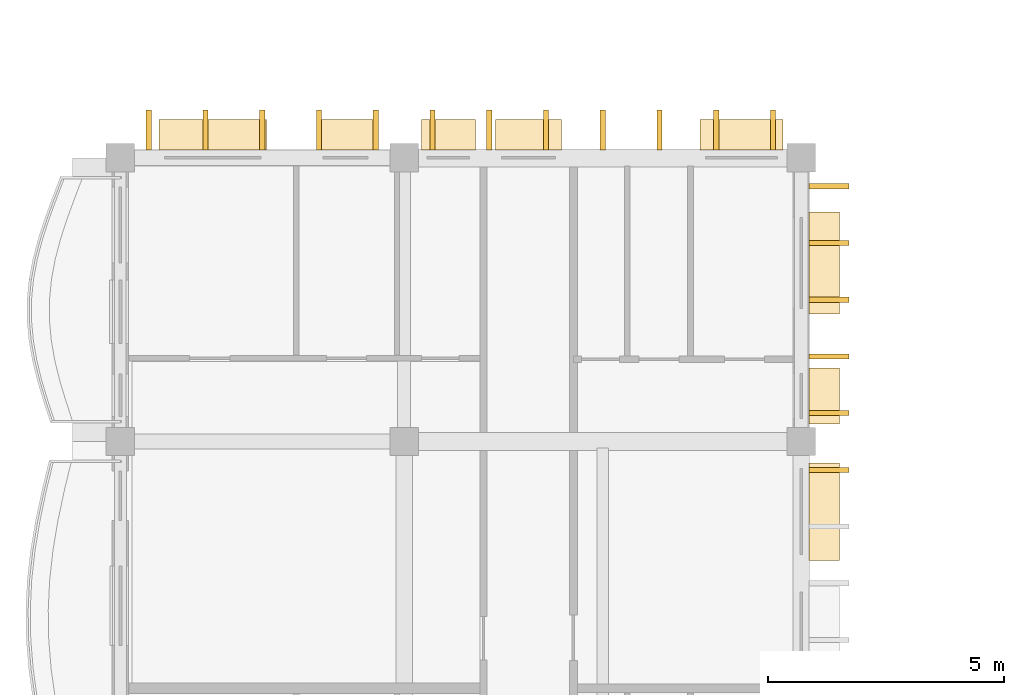
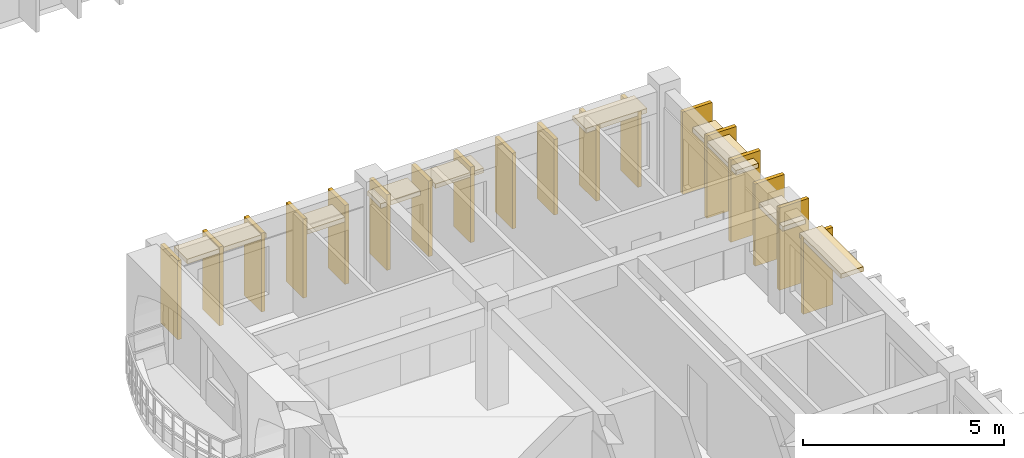
# One storey, part 75 of 101: 26 coverings.
"""IFC4 building model written with IfcOpenShell, lengths in metres."""

from ifc_helpers import new_model, si_unit, direction, frame, origin, origin_2d, place, context, subcontext, project, spatial, rectangle, extrude, material, layer, layer_set, type_object, element, save


model = new_model("IFC4")

# Units and contexts
model_context = context("Model", 3, precision=1e-05, world=origin(), true_north=direction((0.0, 1.0)))
body_context = subcontext(model_context, "Body", "Model", "MODEL_VIEW")
ifc_project = project(units=[si_unit("LENGTHUNIT", "METRE"), si_unit("AREAUNIT", "SQUARE_METRE"), si_unit("VOLUMEUNIT", "CUBIC_METRE"), si_unit("PLANEANGLEUNIT", "RADIAN"), si_unit("MASSUNIT", "GRAM", prefix="KILO"), si_unit("THERMODYNAMICTEMPERATUREUNIT", "KELVIN")], contexts=[model_context])

# Site, building, storey
site_placement = place(None, origin())
site = spatial("IfcSite", under=ifc_project, at=site_placement, CompositionType="ELEMENT")
building_placement = place(site_placement, origin())
building = spatial("IfcBuilding", under=site, at=building_placement, Name="Thalorik Housing Commons", CompositionType="ELEMENT")
storey_placement = place(building_placement, frame((0.0, 0.0, 8.10009765625)))
storey = spatial("IfcBuildingStorey", under=building, at=storey_placement, Name="L02", CompositionType="ELEMENT", Elevation=8.10009765625)

# Coverings
ifc_material = material(Name="Precast concrete C40/50", Category="concrete")
ifc_layer_1 = layer(ifc_material, 0.85009765625, Name="Precast concrete C40/50", Category="concrete")
ifc_layer_set_1 = layer_set([ifc_layer_1], Name="Precast concrete C40/50")
covering_type_1 = type_object("IfcCoveringType", Name="ARC-CLD-FIN-850", PredefinedType="CLADDING", material=ifc_layer_set_1)
covering_1_placement = place(storey_placement, frame((23.385009765625, 51.0, 0.0400390625), z_axis=(0.0, 0.0, 1.0), x_axis=(0.0, 1.0, 0.0)))
element("IfcCovering", 1, at=covering_1_placement, inside=storey, type_object=covering_type_1, Name="L02 Courtyard Precast Vertical Brise-Soleil Fin 3561", PredefinedType="CLADDING", context=body_context, shape_type="SweptSolid", body=[
    extrude(rectangle(XDim=0.110107421875, YDim=0.85009765625, at=origin_2d()), origin(), (0.0, 0.0, 1.0), 2.344970703125),
])
for number, where, z_axis, x_axis, name in (
    (2, (23.385009765625, 52.199951171875, 0.039794921875), (0.0, 0.0, 1.0), (0.0, 1.0, 0.0), "L02 Courtyard Precast Vertical Brise-Soleil Fin 3565"),
    (3, (23.385009765625, 53.39990234375, 0.039794921875), (0.0, 0.0, 1.0), (0.0, 1.0, 0.0), "L02 Courtyard Precast Vertical Brise-Soleil Fin 3566"),
    (4, (23.385009765625, 54.60009765625, 0.039794921875), (0.0, 0.0, 1.0), (0.0, 1.0, 0.0), "L02 Courtyard Precast Vertical Brise-Soleil Fin 3567"),
    (5, (23.385009765625, 55.800048828125, 0.039794921875), (0.0, 0.0, 1.0), (0.0, 1.0, 0.0), "L02 Courtyard Precast Vertical Brise-Soleil Fin 3568"),
    (6, (23.385009765625, 57.0, 0.039794921875), (0.0, 0.0, 1.0), (0.0, 1.0, 0.0), "L02 Courtyard Precast Vertical Brise-Soleil Fin 3569"),
):
    element("IfcCovering", number, at=place(storey_placement, frame(where, z_axis=z_axis, x_axis=x_axis)), inside=storey, type_object=covering_type_1, Name=name, PredefinedType="CLADDING", context=body_context, shape_type="SweptSolid", body=[
        extrude(rectangle(XDim=0.110107421875, YDim=0.85009765625, at=origin_2d()), origin(), (0.0, 0.0, 1.0), 2.4951171875),
    ])
for number, where, z_axis, x_axis, name in (
    (7, (22.199951171875, 58.18505859375, 0.0400390625), (0.0, 0.0, 1.0), (-1.0, 0.0, 0.0), "L02 Courtyard Precast Vertical Brise-Soleil Fin 3572"),
    (8, (21.0, 58.18505859375, 0.0400390625), (0.0, 0.0, 1.0), (-1.0, 0.0, 0.0), "L02 Courtyard Precast Vertical Brise-Soleil Fin 3573"),
    (9, (19.800048828125, 58.18505859375, 0.0400390625), (0.0, 0.0, 1.0), (-1.0, 0.0, 0.0), "L02 Courtyard Precast Vertical Brise-Soleil Fin 3574"),
    (10, (18.60009765625, 58.18505859375, 0.0400390625), (0.0, 0.0, 1.0), (-1.0, 0.0, 0.0), "L02 Courtyard Precast Vertical Brise-Soleil Fin 3575"),
    (11, (17.39990234375, 58.18505859375, 0.0400390625), (0.0, 0.0, 1.0), (-1.0, 0.0, 0.0), "L02 Courtyard Precast Vertical Brise-Soleil Fin 3576"),
    (12, (16.199951171875, 58.18505859375, 0.0400390625), (0.0, 0.0, 1.0), (-1.0, 0.0, 0.0), "L02 Courtyard Precast Vertical Brise-Soleil Fin 3577"),
    (13, (15.0, 58.18505859375, 0.0400390625), (0.0, 0.0, 1.0), (-1.0, 0.0, 0.0), "L02 Courtyard Precast Vertical Brise-Soleil Fin 3578"),
):
    element("IfcCovering", number, at=place(storey_placement, frame(where, z_axis=z_axis, x_axis=x_axis)), inside=storey, type_object=covering_type_1, Name=name, PredefinedType="CLADDING", context=body_context, shape_type="SweptSolid", body=[
        extrude(rectangle(XDim=0.110107421875, YDim=0.85009765625, at=origin_2d()), origin(), (0.0, 0.0, 1.0), 2.294921875),
    ])
for number, where, z_axis, x_axis, name in (
    (14, (13.800048828125, 58.18505859375, 0.039794921875), (0.0, 0.0, 1.0), (-1.0, 0.0, 0.0), "L02 Courtyard Precast Vertical Brise-Soleil Fin 3582"),
    (15, (12.60009765625, 58.18505859375, 0.039794921875), (0.0, 0.0, 1.0), (-1.0, 0.0, 0.0), "L02 Courtyard Precast Vertical Brise-Soleil Fin 3583"),
    (16, (11.39990234375, 58.18505859375, 0.039794921875), (0.0, 0.0, 1.0), (-1.0, 0.0, 0.0), "L02 Courtyard Precast Vertical Brise-Soleil Fin 3584"),
    (17, (10.199951171875, 58.18505859375, 0.039794921875), (0.0, 0.0, 1.0), (-1.0, 0.0, 0.0), "L02 Courtyard Precast Vertical Brise-Soleil Fin 3585"),
    (18, (9.0, 58.18505859375, 0.039794921875), (0.0, 0.0, 1.0), (-1.0, 0.0, 0.0), "L02 Courtyard Precast Vertical Brise-Soleil Fin 3586"),
):
    element("IfcCovering", number, at=place(storey_placement, frame(where, z_axis=z_axis, x_axis=x_axis)), inside=storey, type_object=covering_type_1, Name=name, PredefinedType="CLADDING", context=body_context, shape_type="SweptSolid", body=[
        extrude(rectangle(XDim=0.110107421875, YDim=0.85009765625, at=origin_2d()), origin(), (0.0, 0.0, 1.0), 2.39501953125),
    ])
ifc_layer_2 = layer(ifc_material, 0.64990234375, Name="Precast concrete C40/50", Category="concrete")
ifc_layer_set_2 = layer_set([ifc_layer_2], Name="Precast concrete C40/50")
covering_type_2 = type_object("IfcCoveringType", Name="ARC-CLD-HOOD-650", PredefinedType="CLADDING", material=ifc_layer_set_2)
covering_2_placement = place(storey_placement, frame((23.284912109375, 50.117431640625, 2.25), z_axis=(0.0, 0.0, 1.0), x_axis=(0.0, 1.0, 0.0)))
element("IfcCovering", 19, at=covering_2_placement, inside=storey, type_object=covering_type_2, Name="L02 Courtyard Precast Window Sun-Hood 3564", PredefinedType="CLADDING", context=body_context, shape_type="SweptSolid", body=[
    extrude(rectangle(XDim=2.06005859375, YDim=0.64990234375, at=origin_2d()), origin(), (0.0, 0.0, 1.0), 0.139892578125),
])
covering_3_placement = place(storey_placement, frame((23.284912109375, 52.5634765625, 1.93994140625), z_axis=(0.0, 0.0, 1.0), x_axis=(0.0, 1.0, 0.0)))
element("IfcCovering", 20, at=covering_3_placement, inside=storey, type_object=covering_type_2, Name="L02 Courtyard Precast Window Sun-Hood 3570", PredefinedType="CLADDING", context=body_context, shape_type="SweptSolid", body=[
    extrude(rectangle(XDim=1.18994140625, YDim=0.64990234375, at=origin_2d()), origin(), (0.0, 0.0, 1.0), 0.139892578125),
])
covering_4_placement = place(storey_placement, frame((23.284912109375, 55.373291015625, 2.22998046875), z_axis=(0.0, 0.0, 1.0), x_axis=(0.0, 1.0, 0.0)))
element("IfcCovering", 21, at=covering_4_placement, inside=storey, type_object=covering_type_2, Name="L02 Courtyard Precast Window Sun-Hood 3571", PredefinedType="CLADDING", context=body_context, shape_type="SweptSolid", body=[
    extrude(rectangle(XDim=2.159912109375, YDim=0.64990234375, at=origin_2d()), origin(), (0.0, 0.0, 1.0), 0.139892578125),
])
covering_5_placement = place(storey_placement, frame((21.53271484375, 58.0849609375, 2.2099609375), z_axis=(0.0, 0.0, 1.0), x_axis=(-1.0, 0.0, 0.0)))
element("IfcCovering", 22, at=covering_5_placement, inside=storey, type_object=covering_type_2, Name="L02 Courtyard Precast Window Sun-Hood 3579", PredefinedType="CLADDING", context=body_context, shape_type="SweptSolid", body=[
    extrude(rectangle(XDim=1.760009765625, YDim=0.64990234375, at=origin_2d()), origin(), (0.0, 0.0, 1.0), 0.139892578125),
])
covering_6_placement = place(storey_placement, frame((17.030029296875, 58.0849609375, 2.0400390625), z_axis=(0.0, 0.0, 1.0), x_axis=(-1.0, 0.0, 0.0)))
element("IfcCovering", 23, at=covering_6_placement, inside=storey, type_object=covering_type_2, Name="L02 Courtyard Precast Window Sun-Hood 3580", PredefinedType="CLADDING", context=body_context, shape_type="SweptSolid", body=[
    extrude(rectangle(XDim=1.389892578125, YDim=0.64990234375, at=origin_2d()), origin(), (0.0, 0.0, 1.0), 0.139892578125),
])
covering_7_placement = place(storey_placement, frame((15.3349609375, 58.0849609375, 1.98974609375), z_axis=(0.0, 0.0, 1.0), x_axis=(-1.0, 0.0, 0.0)))
element("IfcCovering", 24, at=covering_7_placement, inside=storey, type_object=covering_type_2, Name="L02 Courtyard Precast Window Sun-Hood 3581", PredefinedType="CLADDING", context=body_context, shape_type="SweptSolid", body=[
    extrude(rectangle(XDim=1.139892578125, YDim=0.64990234375, at=origin_2d()), origin(), (0.0, 0.0, 1.0), 0.139892578125),
])
covering_8_placement = place(storey_placement, frame((13.163818359375, 58.0849609375, 1.93994140625), z_axis=(0.0, 0.0, 1.0), x_axis=(-1.0, 0.0, 0.0)))
element("IfcCovering", 25, at=covering_8_placement, inside=storey, type_object=covering_type_2, Name="L02 Courtyard Precast Window Sun-Hood 3587", PredefinedType="CLADDING", context=body_context, shape_type="SweptSolid", body=[
    extrude(rectangle(XDim=1.18994140625, YDim=0.64990234375, at=origin_2d()), origin(), (0.0, 0.0, 1.0), 0.139892578125),
])
covering_9_placement = place(storey_placement, frame((10.353759765625, 58.0849609375, 2.25), z_axis=(0.0, 0.0, 1.0), x_axis=(-1.0, 0.0, 0.0)))
element("IfcCovering", 26, at=covering_9_placement, inside=storey, type_object=covering_type_2, Name="L02 Courtyard Precast Window Sun-Hood 3588", PredefinedType="CLADDING", context=body_context, shape_type="SweptSolid", body=[
    extrude(rectangle(XDim=2.280029296875, YDim=0.64990234375, at=origin_2d()), origin(), (0.0, 0.0, 1.0), 0.139892578125),
])

save(model, "model.ifc")
